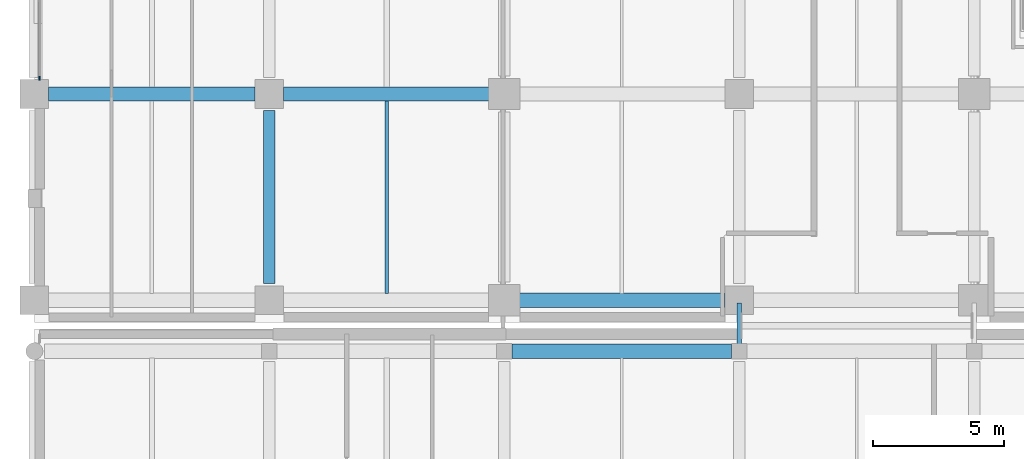
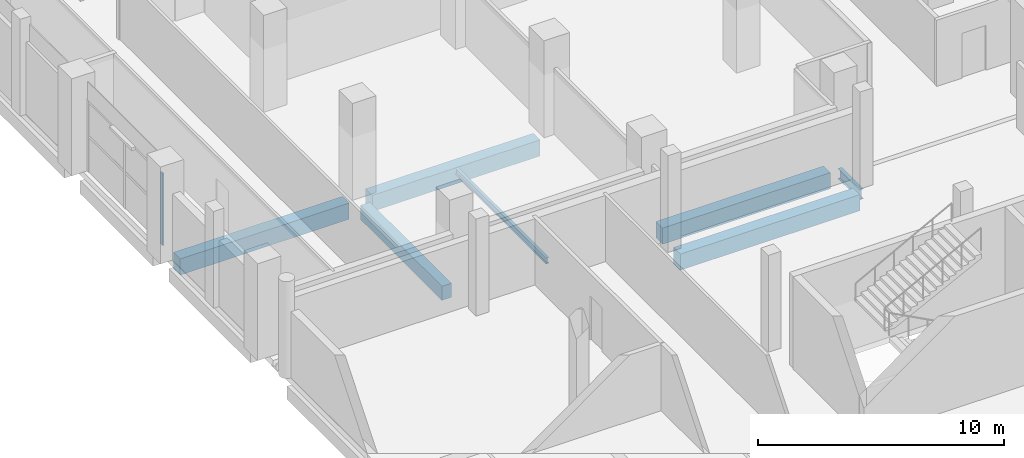
# One storey, part 7 of 100: 7 beams, 1 member, 1 element without a shape of its own.
"""IFC4 building model written with IfcOpenShell, lengths in metres."""

from ifc_helpers import new_model, si_unit, direction, frame, origin, origin_2d, place, context, subcontext, project, spatial, rectangle, i_section, extrude, material, material_profile, profile_set, type_object, element, aggregate, save


model = new_model("IFC4")

# Units and contexts
model_context = context("Model", 3, precision=1e-05, world=origin(), true_north=direction((0.0, 1.0)))
body_context = subcontext(model_context, "Body", "Model", "MODEL_VIEW")
ifc_project = project(units=[si_unit("LENGTHUNIT", "METRE"), si_unit("AREAUNIT", "SQUARE_METRE"), si_unit("VOLUMEUNIT", "CUBIC_METRE"), si_unit("PLANEANGLEUNIT", "RADIAN"), si_unit("MASSUNIT", "GRAM", prefix="KILO"), si_unit("THERMODYNAMICTEMPERATUREUNIT", "KELVIN"), si_unit("POWERUNIT", "WATT")], contexts=[model_context])

# Site, building, storey
site_placement = place(None, origin())
site = spatial("IfcSite", under=ifc_project, at=site_placement, CompositionType="ELEMENT")
building_placement = place(site_placement, origin())
building = spatial("IfcBuilding", under=site, at=building_placement, Name="Sindhuravela Promenade Stadium", CompositionType="ELEMENT")
storey_placement = place(building_placement, frame((0.0, 0.0, 4.800048828125)))
storey = spatial("IfcBuildingStorey", under=building, at=storey_placement, Name="L01", CompositionType="ELEMENT", Elevation=4.800048828125)

# Curtain wall, member
ifc_material_1 = material(Name="Anodised architectural aluminium 6063-T6", Category="aluminium")
curtain_wall_type = type_object("IfcCurtainWallType", Name="CW-MOD-2", PredefinedType="NOTDEFINED", material=ifc_material_1)
curtain_wall_placement = place(storey_placement, origin())
curtain_wall = element("IfcCurtainWall", 1, at=curtain_wall_placement, inside=storey, type_object=curtain_wall_type, Name="Bronze curtain wall CW-WEST-L01-001", PredefinedType="NOTDEFINED")
ifc_material_profile_1 = material_profile(ifc_material_1, rectangle(XDim=0.06494140625, YDim=0.14990234375, at=origin_2d()), Name="ALU MULL 65x150")
ifc_profile_set_1 = profile_set([ifc_material_profile_1], Name="Anodised architectural aluminium 6063-T6")
member_type = type_object("IfcMemberType", Name="CW-MUL-2", PredefinedType="MULLION", material=ifc_profile_set_1)
member_placement = place(storey_placement, frame((0.199951171875, 45.60009765625, 0.0), z_axis=(0.0, 0.0, 1.0), x_axis=(1.0, 0.0, 0.0)))
member = element("IfcMember", 2, at=member_placement, type_object=member_type, Name="Curtain wall mullion CW-WEST-L01-001-M1", PredefinedType="MULLION", context=body_context, shape_type="SweptSolid", body=[
    extrude(rectangle(XDim=0.06494140625, YDim=0.14990234375, at=origin_2d()), origin(), (0.0, 0.0, 1.0), 3.579833984375),
])
aggregate(curtain_wall, [member])

# Beams
ifc_material_2 = material(Name="Concrete M40", Category="concrete")
ifc_material_profile_2 = material_profile(ifc_material_2, rectangle(XDim=0.449951171875, YDim=0.699951171875, at=origin_2d()), Name="RC 450x700")
ifc_profile_set_2 = profile_set([ifc_material_profile_2], Name="Concrete M40")
beam_type_1 = type_object("IfcBeamType", Name="RC-BM-450x700", PredefinedType="BEAM", material=ifc_profile_set_2)
beam_1_placement = place(storey_placement, frame((9.0, 37.739990234375, -0.650146484375), z_axis=(0.0, 1.0, 0.0), x_axis=(-1.0, 0.0, 0.0)))
element("IfcBeam", 3, at=beam_1_placement, inside=storey, type_object=beam_type_1, Name="Primary beam GB07 WEST L01", PredefinedType="BEAM", context=body_context, shape_type="SweptSolid", body=[
    extrude(rectangle(XDim=0.449951171875, YDim=0.699951171875, at=origin_2d()), origin(), (0.0, 0.0, 1.0), 6.6201171875),
])
ifc_material_profile_3 = material_profile(ifc_material_2, rectangle(XDim=0.550048828125, YDim=0.800048828125, at=origin_2d()), Name="RC 550x800")
ifc_profile_set_3 = profile_set([ifc_material_profile_3], Name="Concrete M40")
beam_type_2 = type_object("IfcBeamType", Name="RC-BM-550x800", PredefinedType="BEAM", material=ifc_profile_set_3)
beam_2_placement = place(storey_placement, frame((18.590087890625, 37.10009765625, -0.699951171875), z_axis=(1.0, 0.0, 0.0), x_axis=(0.0, 1.0, 0.0)))
element("IfcBeam", 4, at=beam_2_placement, inside=storey, type_object=beam_type_2, Name="Primary girder GB05 WEST L01", PredefinedType="BEAM", context=body_context, shape_type="SweptSolid", body=[
    extrude(rectangle(XDim=0.550048828125, YDim=0.800048828125, at=origin_2d()), origin(), (0.0, 0.0, 1.0), 7.869873046875),
])
beam_3_placement = place(storey_placement, frame((0.5400390625, 45.0, -0.699951171875), z_axis=(1.0, 0.0, 0.0), x_axis=(0.0, 1.0, 0.0)))
element("IfcBeam", 5, at=beam_3_placement, inside=storey, type_object=beam_type_2, Name="Primary girder GB05 WEST L01", PredefinedType="BEAM", context=body_context, shape_type="SweptSolid", body=[
    extrude(rectangle(XDim=0.550048828125, YDim=0.800048828125, at=origin_2d()), origin(), (0.0, 0.0, 1.0), 7.919921875),
])
beam_4_placement = place(storey_placement, frame((9.5400390625, 45.0, -0.699951171875), z_axis=(1.0, 0.0, 0.0), x_axis=(0.0, 1.0, 0.0)))
element("IfcBeam", 6, at=beam_4_placement, inside=storey, type_object=beam_type_2, Name="Primary girder GB05 WEST L01", PredefinedType="BEAM", context=body_context, shape_type="SweptSolid", body=[
    extrude(rectangle(XDim=0.550048828125, YDim=0.800048828125, at=origin_2d()), origin(), (0.0, 0.0, 1.0), 7.869873046875),
])
beam_5_placement = place(storey_placement, frame((18.2900390625, 35.14990234375, -0.699951171875), z_axis=(1.0, 0.0, 0.0), x_axis=(0.0, 1.0, 0.0)))
element("IfcBeam", 7, at=beam_5_placement, inside=storey, type_object=beam_type_2, Name="Primary girder GB05 Pavilion SW L01", PredefinedType="BEAM", context=body_context, shape_type="SweptSolid", body=[
    extrude(rectangle(XDim=0.550048828125, YDim=0.800048828125, at=origin_2d()), origin(), (0.0, 0.0, 1.0), 8.419921875),
])
ifc_material_3 = material(Name="Steel E350 (IS 2062 E350BR)", Category="steel")
ifc_material_profile_4 = material_profile(ifc_material_3, i_section(OverallWidth=0.139892578125, OverallDepth=0.300048828125, WebThickness=0.0078125, FlangeThickness=0.01318359375, FilletRadius=0.013916015625, at=origin_2d()), Name="ISMB 300")
ifc_profile_set_4 = profile_set([ifc_material_profile_4], Name="Steel E350 (IS 2062 E350BR)")
beam_type_3 = type_object("IfcBeamType", Name="ST-BM-MB300", PredefinedType="JOIST", material=ifc_profile_set_4)
beam_6_placement = place(storey_placement, frame((13.5, 37.364990234375, -0.449951171875), z_axis=(0.0, 1.0, 0.0), x_axis=(-1.0, 0.0, 0.0)))
element("IfcBeam", 8, at=beam_6_placement, inside=storey, type_object=beam_type_3, Name="Secondary floor joist SB03 WEST L01", PredefinedType="JOIST", context=body_context, shape_type="SweptSolid", body=[
    extrude(i_section(OverallWidth=0.139892578125, OverallDepth=0.300048828125, WebThickness=0.0078125, FlangeThickness=0.01318359375, FilletRadius=0.013916015625, at=origin_2d()), origin(), (0.0, 0.0, 1.0), 7.3701171875),
])
ifc_material_profile_5 = material_profile(ifc_material_3, i_section(OverallWidth=0.179931640625, OverallDepth=0.5, WebThickness=0.01025390625, FlangeThickness=0.01708984375, FilletRadius=0.01708984375, at=origin_2d()), Name="ISMB 500")
ifc_profile_set_5 = profile_set([ifc_material_profile_5], Name="Steel E350 (IS 2062 E350BR)")
beam_type_4 = type_object("IfcBeamType", Name="ST-BM-MB500", PredefinedType="BEAM", material=ifc_profile_set_5)
beam_7_placement = place(storey_placement, frame((27.0, 35.25, -0.610107421875), z_axis=(0.0, 1.0, 0.0), x_axis=(-1.0, 0.0, 0.0)))
element("IfcBeam", 9, at=beam_7_placement, inside=storey, type_object=beam_type_4, Name="Concourse link bridge L01 West-SW PTFE sliding girder L", PredefinedType="BEAM", context=body_context, shape_type="SweptSolid", body=[
    extrude(i_section(OverallWidth=0.179931640625, OverallDepth=0.5, WebThickness=0.01025390625, FlangeThickness=0.01708984375, FilletRadius=0.01708984375, at=origin_2d()), origin(), (0.0, 0.0, 1.0), 1.75),
])

save(model, "model.ifc")
